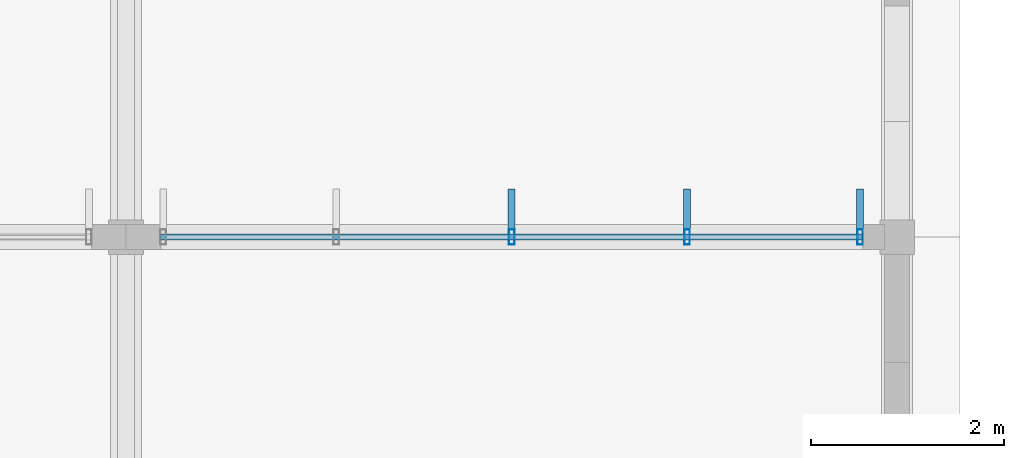
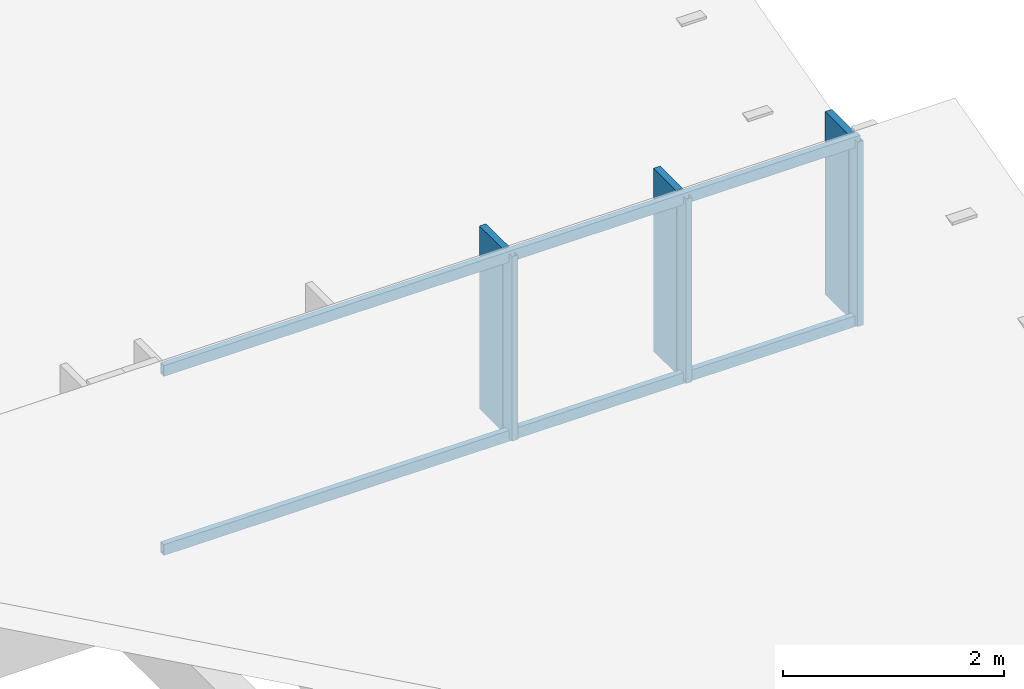
# One storey, part 19 of 94: 8 members, 1 element without a shape of its own.
"""IFC4 building model written with IfcOpenShell, lengths in metres."""

from ifc_helpers import new_model, si_unit, direction, frame, origin, origin_2d, place, context, subcontext, project, spatial, rectangle, hollow_rectangle, extrude, material, material_profile, profile_set, type_object, element, aggregate, save


model = new_model("IFC4")

# Units and contexts
model_context = context("Model", 3, precision=1e-05, world=origin(), true_north=direction((0.0, 1.0)))
body_context = subcontext(model_context, "Body", "Model", "MODEL_VIEW")
ifc_project = project(units=[si_unit("LENGTHUNIT", "METRE"), si_unit("AREAUNIT", "SQUARE_METRE"), si_unit("VOLUMEUNIT", "CUBIC_METRE"), si_unit("PLANEANGLEUNIT", "RADIAN"), si_unit("MASSUNIT", "GRAM", prefix="KILO")], contexts=[model_context])

# Site, building, storey
site_placement = place(None, origin())
site = spatial("IfcSite", under=ifc_project, at=site_placement, CompositionType="ELEMENT")
building_placement = place(site_placement, origin())
building = spatial("IfcBuilding", under=site, at=building_placement, Name="Chiffa Square Polytechnic", CompositionType="ELEMENT")
storey_placement = place(building_placement, frame((0.0, 0.0, 18.0)))
storey = spatial("IfcBuildingStorey", under=building, at=storey_placement, Name="L04", CompositionType="ELEMENT", Elevation=18.0)

# Curtain wall, members
ifc_material_1 = material(Name="Aluminium EN AW-6060 T66 and glulam shading", Category="wood")
curtain_wall_type = type_object("IfcCurtainWallType", Name="CW-VERT-450X440", PredefinedType="USERDEFINED", material=ifc_material_1)
curtain_wall_placement = place(storey_placement, origin())
curtain_wall = element("IfcCurtainWall", 1, at=curtain_wall_placement, inside=storey, type_object=curtain_wall_type, Name="Curtain wall CW-V6-SAW4-4", ObjectType="CURTAIN WALL", PredefinedType="USERDEFINED")
ifc_material_2 = material(Name="Aluminium EN AW-6060 T66", Category="aluminium")
ifc_material_profile_1 = material_profile(ifc_material_2, hollow_rectangle(XDim=0.06005859375, YDim=0.159912109375, WallThickness=0.00390625, at=origin_2d()), Name="ALU 60x160x4")
ifc_profile_set_1 = profile_set([ifc_material_profile_1], Name="Aluminium EN AW-6060 T66")
member_type_1 = type_object("IfcMemberType", Name="CWM-ALU-65X150", PredefinedType="MULLION", material=ifc_profile_set_1)
member_1_placement = place(storey_placement, frame((31.614990234375, 65.39990234375, 0.699951171875), z_axis=(0.0, 0.0, 1.0), x_axis=(1.0, 0.0, 0.0)))
member_1 = element("IfcMember", 2, at=member_1_placement, type_object=member_type_1, Name="Curtain wall mullion CW-V6-SAW4-4-M00", PredefinedType="MULLION", context=body_context, shape_type="SweptSolid", body=[
    extrude(hollow_rectangle(XDim=0.06005859375, YDim=0.159912109375, WallThickness=0.00390625, at=origin_2d()), origin(), (0.0, 0.0, 1.0), 2.0400390625),
])
member_2_placement = place(storey_placement, frame((29.820068359375, 65.39990234375, 0.699951171875), z_axis=(0.0, 0.0, 1.0), x_axis=(1.0, 0.0, 0.0)))
member_2 = element("IfcMember", 3, at=member_2_placement, type_object=member_type_1, Name="Curtain wall mullion CW-V6-SAW4-4-M01", PredefinedType="MULLION", context=body_context, shape_type="SweptSolid", body=[
    extrude(hollow_rectangle(XDim=0.06005859375, YDim=0.159912109375, WallThickness=0.00390625, at=origin_2d()), origin(), (0.0, 0.0, 1.0), 2.0400390625),
])
member_3_placement = place(storey_placement, frame((28.0, 65.39990234375, 0.699951171875), z_axis=(0.0, 0.0, 1.0), x_axis=(1.0, 0.0, 0.0)))
member_3 = element("IfcMember", 4, at=member_3_placement, type_object=member_type_1, Name="Curtain wall mullion CW-V6-SAW4-4-M02", PredefinedType="MULLION", context=body_context, shape_type="SweptSolid", body=[
    extrude(hollow_rectangle(XDim=0.06005859375, YDim=0.159912109375, WallThickness=0.00390625, at=origin_2d()), origin(), (0.0, 0.0, 1.0), 2.0400390625),
])
ifc_material_3 = material(Name="Glulam GL28h", Category="wood")
ifc_material_profile_2 = material_profile(ifc_material_3, rectangle(XDim=0.070068359375, YDim=0.419921875, at=origin_2d()), Name="GL28h 70x420")
ifc_profile_set_2 = profile_set([ifc_material_profile_2], Name="Glulam GL28h")
member_type_2 = type_object("IfcMemberType", Name="CWM-GL-70X420", PredefinedType="MULLION", material=ifc_profile_set_2)
member_4_placement = place(storey_placement, frame((31.614990234375, 65.69189453125, 0.7099609375), z_axis=(0.0, 0.0, 1.0), x_axis=(-1.0, 0.0, 0.0)))
member_4 = element("IfcMember", 5, at=member_4_placement, type_object=member_type_2, Name="Exterior glulam solar fin CW-V6-SAW4-4-FN00", PredefinedType="MULLION", context=body_context, shape_type="SweptSolid", body=[
    extrude(rectangle(XDim=0.070068359375, YDim=0.419921875, at=origin_2d()), origin(), (0.0, 0.0, 1.0), 2.02001953125),
])
member_5_placement = place(storey_placement, frame((29.820068359375, 65.69189453125, 0.7099609375), z_axis=(0.0, 0.0, 1.0), x_axis=(-1.0, 0.0, 0.0)))
member_5 = element("IfcMember", 6, at=member_5_placement, type_object=member_type_2, Name="Exterior glulam solar fin CW-V6-SAW4-4-FN01", PredefinedType="MULLION", context=body_context, shape_type="SweptSolid", body=[
    extrude(rectangle(XDim=0.070068359375, YDim=0.419921875, at=origin_2d()), origin(), (0.0, 0.0, 1.0), 2.02001953125),
])
member_6_placement = place(storey_placement, frame((28.0, 65.69189453125, 0.7099609375), z_axis=(0.0, 0.0, 1.0), x_axis=(-1.0, 0.0, 0.0)))
member_6 = element("IfcMember", 7, at=member_6_placement, type_object=member_type_2, Name="Exterior glulam solar fin CW-V6-SAW4-4-FN02", PredefinedType="MULLION", context=body_context, shape_type="SweptSolid", body=[
    extrude(rectangle(XDim=0.070068359375, YDim=0.419921875, at=origin_2d()), origin(), (0.0, 0.0, 1.0), 2.02001953125),
])
ifc_material_profile_3 = material_profile(ifc_material_2, hollow_rectangle(XDim=0.06005859375, YDim=0.1201171875, WallThickness=0.00390625, at=origin_2d()), Name="ALU 60x120x4")
ifc_profile_set_3 = profile_set([ifc_material_profile_3], Name="Aluminium EN AW-6060 T66")
member_type_3 = type_object("IfcMemberType", Name="CWT-ALU-65X120", PredefinedType="USERDEFINED", material=ifc_profile_set_3)
member_7_placement = place(storey_placement, frame((31.64208984375, 65.39990234375, 0.72998046875), z_axis=(-1.0, 0.0, 0.0), x_axis=(0.0, -1.0, 0.0)))
member_7 = element("IfcMember", 8, at=member_7_placement, type_object=member_type_3, Name="Curtain wall transom CW-V6-SAW4-4-T01", ObjectType="TRANSOM", PredefinedType="USERDEFINED", context=body_context, shape_type="SweptSolid", body=[
    extrude(hollow_rectangle(XDim=0.06005859375, YDim=0.1201171875, WallThickness=0.00390625, at=origin_2d()), origin(), (0.0, 0.0, 1.0), 7.2841796875),
])
member_8_placement = place(storey_placement, frame((31.64208984375, 65.39990234375, 2.7099609375), z_axis=(-1.0, 0.0, 0.0), x_axis=(0.0, -1.0, 0.0)))
member_8 = element("IfcMember", 9, at=member_8_placement, type_object=member_type_3, Name="Curtain wall transom CW-V6-SAW4-4-T02", ObjectType="TRANSOM", PredefinedType="USERDEFINED", context=body_context, shape_type="SweptSolid", body=[
    extrude(hollow_rectangle(XDim=0.06005859375, YDim=0.1201171875, WallThickness=0.00390625, at=origin_2d()), origin(), (0.0, 0.0, 1.0), 7.2841796875),
])
aggregate(curtain_wall, [member_1, member_4, member_2, member_5, member_3, member_6, member_7, member_8])

save(model, "model.ifc")
